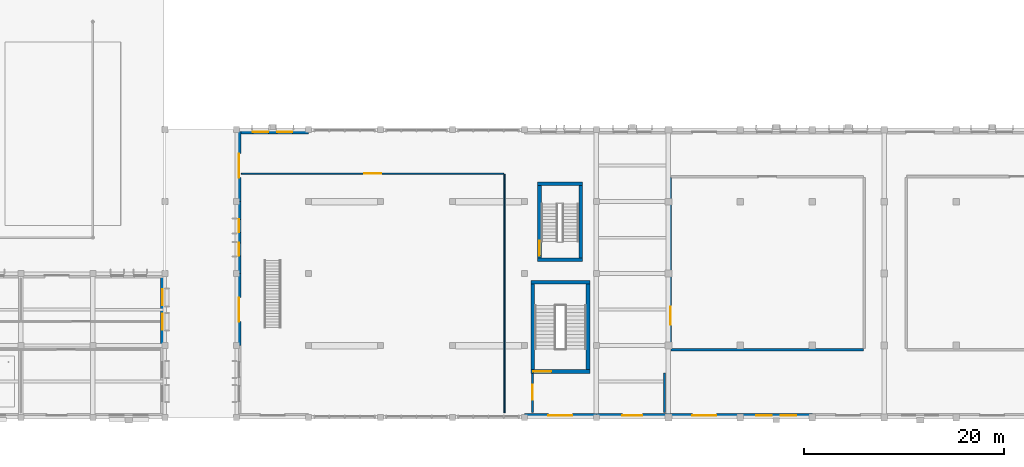
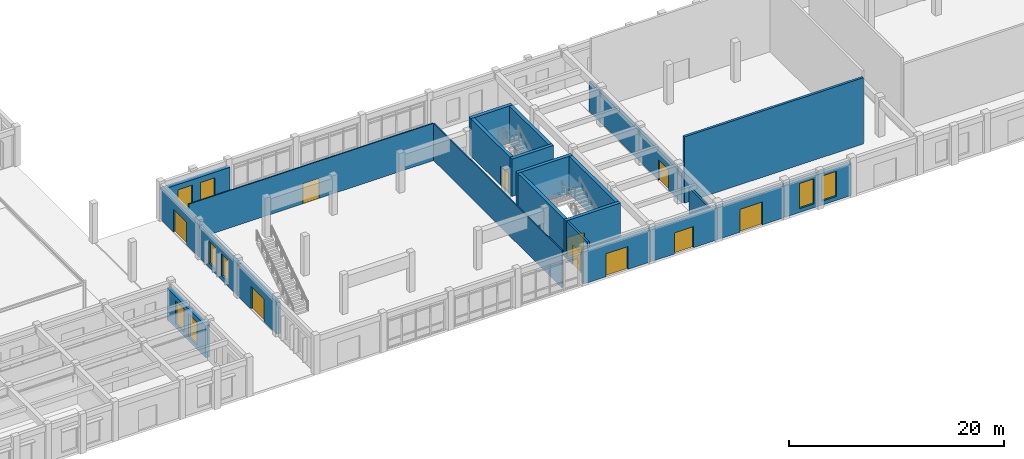
# One storey, part 26 of 43: 23 walls, 10 doors, 8 windows, 18 openings.
"""IFC4 building model written with IfcOpenShell, lengths in metres."""

from ifc_helpers import new_model, si_unit, direction, frame, frame_2d, origin, place, context, subcontext, project, spatial, rectangle, extrude, material, layer, layer_set, type_object, element, fill, save


model = new_model("IFC4")

# Units and contexts
model_context = context("Model", 3, precision=1e-05, world=origin(), true_north=direction((0.0, 1.0)))
body_context = subcontext(model_context, "Body", "Model", "MODEL_VIEW")
ifc_project = project(units=[si_unit("LENGTHUNIT", "METRE"), si_unit("AREAUNIT", "SQUARE_METRE"), si_unit("VOLUMEUNIT", "CUBIC_METRE"), si_unit("PLANEANGLEUNIT", "RADIAN"), si_unit("MASSUNIT", "GRAM", prefix="KILO")], contexts=[model_context])

# Site, building, storey
site_placement = place(None, origin())
site = spatial("IfcSite", under=ifc_project, at=site_placement, CompositionType="ELEMENT")
building_placement = place(site_placement, origin())
building = spatial("IfcBuilding", under=site, at=building_placement, Name="Alvorim Cloister Faculty of Sciences", CompositionType="ELEMENT")
storey_placement = place(building_placement, origin())
storey = spatial("IfcBuildingStorey", under=building, at=storey_placement, Name="L00", CompositionType="ELEMENT", Elevation=0.0)

# Wall, openings, windows
ifc_material_1 = material(Name="Maua Grey Granite Stone", Category="masonry")
ifc_layer_1 = layer(ifc_material_1, 0.419921875)
ifc_layer_set_1 = layer_set([ifc_layer_1], Name="Maua Grey Granite Stone")
wall_type_1 = type_object("IfcWallType", Name="WL-EXT-GRN-420", PredefinedType="SOLIDWALL", material=ifc_layer_set_1)
wall_1_placement = place(storey_placement, frame((64.590087890625, 7.199951171875, 0.0), z_axis=(0.0, 0.0, 1.0), x_axis=(0.0, 1.0, 0.0)))
wall_1 = element("IfcWall", 1, at=wall_1_placement, inside=storey, type_object=wall_type_1, Name="L00 Exterior Wall WL-0017", PredefinedType="SOLIDWALL", context=body_context, shape_type="SweptSolid", body=[
    extrude(rectangle(XDim=7.199951171875, YDim=0.419921875, at=frame_2d((3.60009765625, 0.0))), origin(), (0.0, 0.0, 1.0), 3.6201171875),
])
opening_1_placement = place(wall_1_placement, frame((1.583251953125, 0.0, 0.449951171875)))
opening_1 = element("IfcOpeningElement", 2, at=opening_1_placement, cuts=wall_1, Name="Opening W-11", PredefinedType="OPENING", context=body_context, shape_type="SweptSolid", body=[
    extrude(rectangle(XDim=1.60009765625, YDim=2.64990234375, at=frame_2d((0.800048828125, 1.324951171875))), frame((0.0, 0.221923828125, 0.0), z_axis=(0.0, -1.0, 0.0), x_axis=(1.0, 0.0, 0.0)), (0.0, 0.0, 1.0), 0.44384765625),
])
opening_2_placement = place(wall_1_placement, frame((4.0166015625, 0.0, 0.449951171875)))
opening_2 = element("IfcOpeningElement", 3, at=opening_2_placement, cuts=wall_1, Name="Opening W-11", PredefinedType="OPENING", context=body_context, shape_type="SweptSolid", body=[
    extrude(rectangle(XDim=1.60009765625, YDim=2.64990234375, at=frame_2d((0.800048828125, 1.324951171875))), frame((0.0, 0.221923828125, 0.0), z_axis=(0.0, -1.0, 0.0), x_axis=(1.0, 0.0, 0.0)), (0.0, 0.0, 1.0), 0.44384765625),
])
ifc_material_2 = material(Name="Double Low-E Laminated Glass", Category="glass")
window_type_1 = type_object("IfcWindowType", Name="WN-LIB-1600x2650", PartitioningType="SINGLE_PANEL", PredefinedType="WINDOW", material=ifc_material_2)
window_1_placement = place(opening_1_placement, origin())
window_1 = element("IfcWindow", 4, at=window_1_placement, inside=storey, type_object=window_type_1, Name="L00 Gothic Lancet Window WN-0001", OverallHeight=2.64990234375, OverallWidth=1.60009765625, PartitioningType="SINGLE_PANEL", PredefinedType="WINDOW", context=body_context, shape_type="SweptSolid", body=[
    extrude(rectangle(XDim=1.60009765625, YDim=2.64990234375, at=frame_2d((0.800048828125, 1.324951171875))), frame((0.0, 0.030029296875, 0.0), z_axis=(0.0, -1.0, 0.0), x_axis=(1.0, 0.0, 0.0)), (0.0, 0.0, 1.0), 0.06005859375),
])
fill(opening_1, window_1)
window_2_placement = place(opening_2_placement, origin())
window_2 = element("IfcWindow", 5, at=window_2_placement, inside=storey, type_object=window_type_1, Name="L00 Gothic Lancet Window WN-0002", OverallHeight=2.64990234375, OverallWidth=1.60009765625, PartitioningType="SINGLE_PANEL", PredefinedType="WINDOW", context=body_context, shape_type="SweptSolid", body=[
    extrude(rectangle(XDim=1.60009765625, YDim=2.64990234375, at=frame_2d((0.800048828125, 1.324951171875))), frame((0.0, 0.030029296875, 0.0), z_axis=(0.0, -1.0, 0.0), x_axis=(1.0, 0.0, 0.0)), (0.0, 0.0, 1.0), 0.06005859375),
])
fill(opening_2, window_2)

wall_2_placement = place(storey_placement, frame((122.39990234375, 0.2099609375, 0.0), z_axis=(0.0, 0.0, 1.0), x_axis=(1.0, 0.0, 0.0)))
wall_2 = element("IfcWall", 6, at=wall_2_placement, inside=storey, type_object=wall_type_1, Name="L00 Exterior Wall WL-0093", PredefinedType="SOLIDWALL", context=body_context, shape_type="SweptSolid", body=[
    extrude(rectangle(XDim=7.2001953125, YDim=0.419921875, at=frame_2d((3.60009765625, 0.0))), origin(), (0.0, 0.0, 1.0), 3.6201171875),
])
opening_3_placement = place(wall_2_placement, frame((1.61669921875, 0.0, 0.449951171875)))
opening_3 = element("IfcOpeningElement", 7, at=opening_3_placement, cuts=wall_2, Name="Opening W-07", PredefinedType="OPENING", context=body_context, shape_type="SweptSolid", body=[
    extrude(rectangle(XDim=1.550048828125, YDim=2.85009765625, at=frame_2d((0.77490234375, 1.425048828125))), frame((0.0, 0.221923828125, 0.0), z_axis=(0.0, -1.0, 0.0), x_axis=(1.0, 0.0, 0.0)), (0.0, 0.0, 1.0), 0.44384765625),
])
opening_4_placement = place(wall_2_placement, frame((4.033203125, 0.0, 0.449951171875)))
opening_4 = element("IfcOpeningElement", 8, at=opening_4_placement, cuts=wall_2, Name="Opening W-07", PredefinedType="OPENING", context=body_context, shape_type="SweptSolid", body=[
    extrude(rectangle(XDim=1.550048828125, YDim=2.85009765625, at=frame_2d((0.77490234375, 1.425048828125))), frame((0.0, 0.221923828125, 0.0), z_axis=(0.0, -1.0, 0.0), x_axis=(1.0, 0.0, 0.0)), (0.0, 0.0, 1.0), 0.44384765625),
])
window_type_2 = type_object("IfcWindowType", Name="WN-LAN-1550x2850", PartitioningType="SINGLE_PANEL", PredefinedType="WINDOW", material=ifc_material_2)
window_3_placement = place(opening_3_placement, origin())
window_3 = element("IfcWindow", 9, at=window_3_placement, inside=storey, type_object=window_type_2, Name="L00 Gothic Lancet Window WN-0112", OverallHeight=2.85009765625, OverallWidth=1.550048828125, PartitioningType="SINGLE_PANEL", PredefinedType="WINDOW", context=body_context, shape_type="SweptSolid", body=[
    extrude(rectangle(XDim=1.550048828125, YDim=2.85009765625, at=frame_2d((0.77490234375, 1.425048828125))), frame((0.0, 0.030029296875, 0.0), z_axis=(0.0, -1.0, 0.0), x_axis=(1.0, 0.0, 0.0)), (0.0, 0.0, 1.0), 0.06005859375),
])
fill(opening_3, window_3)
window_4_placement = place(opening_4_placement, origin())
window_4 = element("IfcWindow", 10, at=window_4_placement, inside=storey, type_object=window_type_2, Name="L00 Gothic Lancet Window WN-0113", OverallHeight=2.85009765625, OverallWidth=1.550048828125, PartitioningType="SINGLE_PANEL", PredefinedType="WINDOW", context=body_context, shape_type="SweptSolid", body=[
    extrude(rectangle(XDim=1.550048828125, YDim=2.85009765625, at=frame_2d((0.77490234375, 1.425048828125))), frame((0.0, 0.030029296875, 0.0), z_axis=(0.0, -1.0, 0.0), x_axis=(1.0, 0.0, 0.0)), (0.0, 0.0, 1.0), 0.06005859375),
])
fill(opening_4, window_4)

# Wall, opening, door
wall_3_placement = place(storey_placement, frame((115.199951171875, 0.2099609375, 0.0), z_axis=(0.0, 0.0, 1.0), x_axis=(1.0, 0.0, 0.0)))
wall_3 = element("IfcWall", 11, at=wall_3_placement, inside=storey, type_object=wall_type_1, Name="L00 Exterior Wall WL-0094", PredefinedType="SOLIDWALL", context=body_context, shape_type="SweptSolid", body=[
    extrude(rectangle(XDim=7.199951171875, YDim=0.419921875, at=frame_2d((3.60009765625, 0.0))), origin(), (0.0, 0.0, 1.0), 3.6201171875),
])
opening_5_placement = place(wall_3_placement, frame((2.39990234375, 0.0, 0.0)))
opening_5 = element("IfcOpeningElement", 12, at=opening_5_placement, cuts=wall_3, Name="Opening ED-06", PredefinedType="OPENING", context=body_context, shape_type="SweptSolid", body=[
    extrude(rectangle(XDim=2.39990234375, YDim=2.60009765625, at=frame_2d((1.199951171875, 1.300048828125))), frame((0.0, 0.221923828125, 0.0), z_axis=(0.0, -1.0, 0.0), x_axis=(1.0, 0.0, 0.0)), (0.0, 0.0, 1.0), 0.44384765625),
])
ifc_material_3 = material(Name="Aluminium Alloy 6063-T6", Category="aluminium")
door_type_1 = type_object("IfcDoorType", Name="DR-EXIT-2400x2600", OperationType="NOTDEFINED", PredefinedType="DOOR", material=ifc_material_3)
door_1_placement = place(opening_5_placement, origin())
door_1 = element("IfcDoor", 13, at=door_1_placement, inside=storey, type_object=door_type_1, Name="Lecture Theatre A South Exit ED-06", OperationType="DOUBLE_DOOR_SINGLE_SWING", OverallHeight=2.60009765625, OverallWidth=2.39990234375, PredefinedType="DOOR", context=body_context, shape_type="SweptSolid", body=[
    extrude(rectangle(XDim=2.39990234375, YDim=2.60009765625, at=frame_2d((1.199951171875, 1.300048828125))), frame((0.0, 0.02490234375, 0.0), z_axis=(0.0, -1.0, 0.0), x_axis=(1.0, 0.0, 0.0)), (0.0, 0.0, 1.0), 0.050048828125),
])
fill(opening_5, door_1)

wall_4_placement = place(storey_placement, frame((108.0, 0.2099609375, 0.0), z_axis=(0.0, 0.0, 1.0), x_axis=(1.0, 0.0, 0.0)))
wall_4 = element("IfcWall", 14, at=wall_4_placement, inside=storey, type_object=wall_type_1, Name="L00 Exterior Wall WL-0095", PredefinedType="SOLIDWALL", context=body_context, shape_type="SweptSolid", body=[
    extrude(rectangle(XDim=7.199951171875, YDim=0.419921875, at=frame_2d((3.60009765625, 0.0))), origin(), (0.0, 0.0, 1.0), 3.6201171875),
])
opening_6_placement = place(wall_4_placement, frame((2.60009765625, 0.0, 0.0)))
opening_6 = element("IfcOpeningElement", 15, at=opening_6_placement, cuts=wall_4, Name="Opening ED-05", PredefinedType="OPENING", context=body_context, shape_type="SweptSolid", body=[
    extrude(rectangle(XDim=2.0, YDim=2.39990234375, at=frame_2d((1.0, 1.199951171875))), frame((0.0, 0.221923828125, 0.0), z_axis=(0.0, -1.0, 0.0), x_axis=(1.0, 0.0, 0.0)), (0.0, 0.0, 1.0), 0.44384765625),
])
door_type_2 = type_object("IfcDoorType", Name="DR-EXIT-2000x2400", OperationType="NOTDEFINED", PredefinedType="DOOR", material=ifc_material_3)
door_2_placement = place(opening_6_placement, origin())
door_2 = element("IfcDoor", 16, at=door_2_placement, inside=storey, type_object=door_type_2, Name="Fire Command & Stair K7 Discharge ED-05", OperationType="DOUBLE_DOOR_SINGLE_SWING", OverallHeight=2.39990234375, OverallWidth=2.0, PredefinedType="DOOR", context=body_context, shape_type="SweptSolid", body=[
    extrude(rectangle(XDim=2.0, YDim=2.39990234375, at=frame_2d((1.0, 1.199951171875))), frame((0.0, 0.02490234375, 0.0), z_axis=(0.0, -1.0, 0.0), x_axis=(1.0, 0.0, 0.0)), (0.0, 0.0, 1.0), 0.050048828125),
])
fill(opening_6, door_2)

wall_5_placement = place(storey_placement, frame((100.800048828125, 0.2099609375, 0.0), z_axis=(0.0, 0.0, 1.0), x_axis=(1.0, 0.0, 0.0)))
wall_5 = element("IfcWall", 17, at=wall_5_placement, inside=storey, type_object=wall_type_1, Name="L00 Exterior Wall WL-0096", PredefinedType="SOLIDWALL", context=body_context, shape_type="SweptSolid", body=[
    extrude(rectangle(XDim=7.199951171875, YDim=0.419921875, at=frame_2d((3.60009765625, 0.0))), origin(), (0.0, 0.0, 1.0), 3.6201171875),
])
opening_7_placement = place(wall_5_placement, frame((2.39990234375, 0.0, 0.0)))
opening_7 = element("IfcOpeningElement", 18, at=opening_7_placement, cuts=wall_5, Name="Opening ED-21", PredefinedType="OPENING", context=body_context, shape_type="SweptSolid", body=[
    extrude(rectangle(XDim=2.39990234375, YDim=2.60009765625, at=frame_2d((1.199951171875, 1.300048828125))), frame((0.0, 0.221923828125, 0.0), z_axis=(0.0, -1.0, 0.0), x_axis=(1.0, 0.0, 0.0)), (0.0, 0.0, 1.0), 0.44384765625),
])
door_3_placement = place(opening_7_placement, origin())
door_3 = element("IfcDoor", 19, at=door_3_placement, inside=storey, type_object=door_type_1, Name="Atrium East Avenue Exit ED-21", OperationType="DOUBLE_DOOR_SINGLE_SWING", OverallHeight=2.60009765625, OverallWidth=2.39990234375, PredefinedType="DOOR", context=body_context, shape_type="SweptSolid", body=[
    extrude(rectangle(XDim=2.39990234375, YDim=2.60009765625, at=frame_2d((1.199951171875, 1.300048828125))), frame((0.0, 0.02490234375, 0.0), z_axis=(0.0, -1.0, 0.0), x_axis=(1.0, 0.0, 0.0)), (0.0, 0.0, 1.0), 0.050048828125),
])
fill(opening_7, door_3)

wall_6_placement = place(storey_placement, frame((72.2099609375, 7.199951171875, 0.0), z_axis=(0.0, 0.0, 1.0), x_axis=(0.0, 1.0, 0.0)))
wall_6 = element("IfcWall", 20, at=wall_6_placement, inside=storey, type_object=wall_type_1, Name="L00 Exterior Wall WL-0099", PredefinedType="SOLIDWALL", context=body_context, shape_type="SweptSolid", body=[
    extrude(rectangle(XDim=7.199951171875, YDim=0.419921875, at=frame_2d((3.60009765625, 0.0))), origin(), (0.0, 0.0, 1.0), 3.6201171875),
])
opening_8_placement = place(wall_6_placement, frame((2.39990234375, 0.0, 0.0)))
opening_8 = element("IfcOpeningElement", 21, at=opening_8_placement, cuts=wall_6, Name="Opening ED-04", PredefinedType="OPENING", context=body_context, shape_type="SweptSolid", body=[
    extrude(rectangle(XDim=2.39990234375, YDim=2.60009765625, at=frame_2d((1.199951171875, 1.300048828125))), frame((0.0, 0.221923828125, 0.0), z_axis=(0.0, -1.0, 0.0), x_axis=(1.0, 0.0, 0.0)), (0.0, 0.0, 1.0), 0.44384765625),
])
door_4_placement = place(opening_8_placement, origin())
door_4 = element("IfcDoor", 22, at=door_4_placement, inside=storey, type_object=door_type_1, Name="Covered Public Passage Atrium Portal ED-04", OperationType="DOUBLE_DOOR_SINGLE_SWING", OverallHeight=2.60009765625, OverallWidth=2.39990234375, PredefinedType="DOOR", context=body_context, shape_type="SweptSolid", body=[
    extrude(rectangle(XDim=2.39990234375, YDim=2.60009765625, at=frame_2d((1.199951171875, 1.300048828125))), frame((0.0, 0.02490234375, 0.0), z_axis=(0.0, -1.0, 0.0), x_axis=(1.0, 0.0, 0.0)), (0.0, 0.0, 1.0), 0.050048828125),
])
fill(opening_8, door_4)

# Wall, openings, windows
wall_7_placement = place(storey_placement, frame((72.2099609375, 14.39990234375, 0.0), z_axis=(0.0, 0.0, 1.0), x_axis=(0.0, 1.0, 0.0)))
wall_7 = element("IfcWall", 23, at=wall_7_placement, inside=storey, type_object=wall_type_1, Name="L00 Exterior Wall WL-0100", PredefinedType="SOLIDWALL", context=body_context, shape_type="SweptSolid", body=[
    extrude(rectangle(XDim=7.2001953125, YDim=0.419921875, at=frame_2d((3.60009765625, 0.0))), origin(), (0.0, 0.0, 1.0), 3.6201171875),
])
opening_9_placement = place(wall_7_placement, frame((1.783203125, 0.0, 0.449951171875)))
opening_9 = element("IfcOpeningElement", 24, at=opening_9_placement, cuts=wall_7, Name="Opening W-14", PredefinedType="OPENING", context=body_context, shape_type="SweptSolid", body=[
    extrude(rectangle(XDim=1.300048828125, YDim=2.5, at=frame_2d((0.64990234375, 1.25))), frame((0.0, 0.221923828125, 0.0), z_axis=(0.0, -1.0, 0.0), x_axis=(1.0, 0.0, 0.0)), (0.0, 0.0, 1.0), 0.44384765625),
])
opening_10_placement = place(wall_7_placement, frame((4.11669921875, 0.0, 0.449951171875)))
opening_10 = element("IfcOpeningElement", 25, at=opening_10_placement, cuts=wall_7, Name="Opening W-14", PredefinedType="OPENING", context=body_context, shape_type="SweptSolid", body=[
    extrude(rectangle(XDim=1.300048828125, YDim=2.5, at=frame_2d((0.64990234375, 1.25))), frame((0.0, 0.221923828125, 0.0), z_axis=(0.0, -1.0, 0.0), x_axis=(1.0, 0.0, 0.0)), (0.0, 0.0, 1.0), 0.44384765625),
])
window_type_3 = type_object("IfcWindowType", Name="WN-LIB-1300x2500", PartitioningType="SINGLE_PANEL", PredefinedType="WINDOW", material=ifc_material_2)
window_5_placement = place(opening_9_placement, origin())
window_5 = element("IfcWindow", 26, at=window_5_placement, inside=storey, type_object=window_type_3, Name="L00 Gothic Lancet Window WN-0116", OverallHeight=2.5, OverallWidth=1.300048828125, PartitioningType="SINGLE_PANEL", PredefinedType="WINDOW", context=body_context, shape_type="SweptSolid", body=[
    extrude(rectangle(XDim=1.300048828125, YDim=2.5, at=frame_2d((0.64990234375, 1.25))), frame((0.0, 0.030029296875, 0.0), z_axis=(0.0, -1.0, 0.0), x_axis=(1.0, 0.0, 0.0)), (0.0, 0.0, 1.0), 0.06005859375),
])
fill(opening_9, window_5)
window_6_placement = place(opening_10_placement, origin())
window_6 = element("IfcWindow", 27, at=window_6_placement, inside=storey, type_object=window_type_3, Name="L00 Gothic Lancet Window WN-0117", OverallHeight=2.5, OverallWidth=1.300048828125, PartitioningType="SINGLE_PANEL", PredefinedType="WINDOW", context=body_context, shape_type="SweptSolid", body=[
    extrude(rectangle(XDim=1.300048828125, YDim=2.5, at=frame_2d((0.64990234375, 1.25))), frame((0.0, 0.030029296875, 0.0), z_axis=(0.0, -1.0, 0.0), x_axis=(1.0, 0.0, 0.0)), (0.0, 0.0, 1.0), 0.06005859375),
])
fill(opening_10, window_6)

# Wall, opening, door
wall_8_placement = place(storey_placement, frame((72.2099609375, 21.60009765625, 0.0), z_axis=(0.0, 0.0, 1.0), x_axis=(0.0, 1.0, 0.0)))
wall_8 = element("IfcWall", 28, at=wall_8_placement, inside=storey, type_object=wall_type_1, Name="L00 Exterior Wall WL-0101", PredefinedType="SOLIDWALL", context=body_context, shape_type="SweptSolid", body=[
    extrude(rectangle(XDim=7.199951171875, YDim=0.419921875, at=frame_2d((3.60009765625, 0.0))), origin(), (0.0, 0.0, 1.0), 3.6201171875),
])
opening_11_placement = place(wall_8_placement, frame((2.39990234375, 0.0, 0.0)))
opening_11 = element("IfcOpeningElement", 29, at=opening_11_placement, cuts=wall_8, Name="Opening ED-19", PredefinedType="OPENING", context=body_context, shape_type="SweptSolid", body=[
    extrude(rectangle(XDim=2.39990234375, YDim=2.60009765625, at=frame_2d((1.199951171875, 1.300048828125))), frame((0.0, 0.221923828125, 0.0), z_axis=(0.0, -1.0, 0.0), x_axis=(1.0, 0.0, 0.0)), (0.0, 0.0, 1.0), 0.44384765625),
])
door_5_placement = place(opening_11_placement, origin())
door_5 = element("IfcDoor", 30, at=door_5_placement, inside=storey, type_object=door_type_1, Name="Covered Public Passage North Atrium Portal ED-19", OperationType="DOUBLE_DOOR_SINGLE_SWING", OverallHeight=2.60009765625, OverallWidth=2.39990234375, PredefinedType="DOOR", context=body_context, shape_type="SweptSolid", body=[
    extrude(rectangle(XDim=2.39990234375, YDim=2.60009765625, at=frame_2d((1.199951171875, 1.300048828125))), frame((0.0, 0.02490234375, 0.0), z_axis=(0.0, -1.0, 0.0), x_axis=(1.0, 0.0, 0.0)), (0.0, 0.0, 1.0), 0.050048828125),
])
fill(opening_11, door_5)

# Wall, openings, windows
wall_9_placement = place(storey_placement, frame((72.0, 28.590087890625, 0.0), z_axis=(0.0, 0.0, 1.0), x_axis=(1.0, 0.0, 0.0)))
wall_9 = element("IfcWall", 31, at=wall_9_placement, inside=storey, type_object=wall_type_1, Name="L00 Exterior Wall WL-0102", PredefinedType="SOLIDWALL", context=body_context, shape_type="SweptSolid", body=[
    extrude(rectangle(XDim=7.199951171875, YDim=0.419921875, at=frame_2d((3.60009765625, 0.0))), origin(), (0.0, 0.0, 1.0), 3.6201171875),
])
opening_12_placement = place(wall_9_placement, frame((1.61669921875, 0.0, 0.449951171875)))
opening_12 = element("IfcOpeningElement", 32, at=opening_12_placement, cuts=wall_9, Name="Opening W-16", PredefinedType="OPENING", context=body_context, shape_type="SweptSolid", body=[
    extrude(rectangle(XDim=1.550048828125, YDim=2.550048828125, at=frame_2d((0.77490234375, 1.27490234375))), frame((0.0, 0.221923828125, 0.0), z_axis=(0.0, -1.0, 0.0), x_axis=(1.0, 0.0, 0.0)), (0.0, 0.0, 1.0), 0.44384765625),
])
opening_13_placement = place(wall_9_placement, frame((4.033203125, 0.0, 0.449951171875)))
opening_13 = element("IfcOpeningElement", 33, at=opening_13_placement, cuts=wall_9, Name="Opening W-16", PredefinedType="OPENING", context=body_context, shape_type="SweptSolid", body=[
    extrude(rectangle(XDim=1.550048828125, YDim=2.550048828125, at=frame_2d((0.77490234375, 1.27490234375))), frame((0.0, 0.221923828125, 0.0), z_axis=(0.0, -1.0, 0.0), x_axis=(1.0, 0.0, 0.0)), (0.0, 0.0, 1.0), 0.44384765625),
])
window_type_4 = type_object("IfcWindowType", Name="WN-LAB-1550x2550", PartitioningType="SINGLE_PANEL", PredefinedType="WINDOW", material=ifc_material_2)
window_7_placement = place(opening_12_placement, origin())
window_7 = element("IfcWindow", 34, at=window_7_placement, inside=storey, type_object=window_type_4, Name="L00 Gothic Lancet Window WN-0118", OverallHeight=2.550048828125, OverallWidth=1.550048828125, PartitioningType="SINGLE_PANEL", PredefinedType="WINDOW", context=body_context, shape_type="SweptSolid", body=[
    extrude(rectangle(XDim=1.550048828125, YDim=2.550048828125, at=frame_2d((0.77490234375, 1.27490234375))), frame((0.0, 0.030029296875, 0.0), z_axis=(0.0, -1.0, 0.0), x_axis=(1.0, 0.0, 0.0)), (0.0, 0.0, 1.0), 0.06005859375),
])
fill(opening_12, window_7)
window_8_placement = place(opening_13_placement, origin())
window_8 = element("IfcWindow", 35, at=window_8_placement, inside=storey, type_object=window_type_4, Name="L00 Gothic Lancet Window WN-0119", OverallHeight=2.550048828125, OverallWidth=1.550048828125, PartitioningType="SINGLE_PANEL", PredefinedType="WINDOW", context=body_context, shape_type="SweptSolid", body=[
    extrude(rectangle(XDim=1.550048828125, YDim=2.550048828125, at=frame_2d((0.77490234375, 1.27490234375))), frame((0.0, 0.030029296875, 0.0), z_axis=(0.0, -1.0, 0.0), x_axis=(1.0, 0.0, 0.0)), (0.0, 0.0, 1.0), 0.06005859375),
])
fill(opening_13, window_8)

# Wall
ifc_material_4 = material(Name="Acoustic Gypsum Stud Partition", Category="gypsum")
ifc_layer_2 = layer(ifc_material_4, 0.1201171875)
ifc_layer_set_2 = layer_set([ifc_layer_2], Name="Acoustic Gypsum Stud Partition")
wall_type_2 = type_object("IfcWallType", Name="WL-PRT-120", PredefinedType="PARTITIONING", material=ifc_layer_set_2)
wall_10_placement = place(storey_placement, frame((98.800048828125, 0.47998046875, 0.0), z_axis=(0.0, 0.0, 1.0), x_axis=(0.0, 1.0, 0.0)))
element("IfcWall", 36, at=wall_10_placement, inside=storey, type_object=wall_type_2, Name="L00 Sky-Lit Entrance Atrium Exhibition Hall Partition IWL-0486", PredefinedType="PARTITIONING", context=body_context, shape_type="SweptSolid", body=[
    extrude(rectangle(XDim=23.840087890625, YDim=0.1201171875, at=frame_2d((11.919921875, 0.0))), origin(), (0.0, 0.0, 1.0), 4.235107421875),
])

# Wall, opening, door
wall_11_placement = place(storey_placement, frame((72.4599609375, 24.39990234375, 0.0), z_axis=(0.0, 0.0, 1.0), x_axis=(1.0, 0.0, 0.0)))
wall_11 = element("IfcWall", 37, at=wall_11_placement, inside=storey, type_object=wall_type_2, Name="L00 Sky-Lit Entrance Atrium Exhibition Hall Partition IWL-0487", PredefinedType="PARTITIONING", context=body_context, shape_type="SweptSolid", body=[
    extrude(rectangle(XDim=26.260009765625, YDim=0.1201171875, at=frame_2d((13.1298828125, 0.0))), origin(), (0.0, 0.0, 1.0), 4.235107421875),
])
opening_14_placement = place(wall_11_placement, frame((12.280029296875, 0.0, 0.0)))
opening_14 = element("IfcOpeningElement", 38, at=opening_14_placement, cuts=wall_11, Name="Opening D-L00-096", PredefinedType="OPENING", context=body_context, shape_type="SweptSolid", body=[
    extrude(rectangle(XDim=1.699951171875, YDim=2.280029296875, at=frame_2d((0.85009765625, 1.14013671875))), frame((0.0, 0.072021484375, 0.0), z_axis=(0.0, -1.0, 0.0), x_axis=(1.0, 0.0, 0.0)), (0.0, 0.0, 1.0), 0.14404296875),
])
ifc_material_5 = material(Name="Solid Acoustic Oak Timber", Category="wood")
door_type_3 = type_object("IfcDoorType", Name="DR-HALL-1700x2280", OperationType="NOTDEFINED", PredefinedType="DOOR", material=ifc_material_5)
door_6_placement = place(opening_14_placement, origin())
door_6 = element("IfcDoor", 39, at=door_6_placement, inside=storey, type_object=door_type_3, Name="Sky-Lit Entrance Atrium Exhibition Hall Door D-L00-096", OperationType="DOUBLE_DOOR_SINGLE_SWING", OverallHeight=2.280029296875, OverallWidth=1.699951171875, PredefinedType="DOOR", context=body_context, shape_type="SweptSolid", body=[
    extrude(rectangle(XDim=1.699951171875, YDim=2.280029296875, at=frame_2d((0.85009765625, 1.14013671875))), frame((0.0, 0.02490234375, 0.0), z_axis=(0.0, -1.0, 0.0), x_axis=(1.0, 0.0, 0.0)), (0.0, 0.0, 1.0), 0.050048828125),
])
fill(opening_14, door_6)

ifc_material_6 = material(Name="Autoclaved Aerated Concrete Blockwork", Category="masonry")
ifc_layer_3 = layer(ifc_material_6, 0.219970703125)
ifc_layer_set_3 = layer_set([ifc_layer_3], Name="Autoclaved Aerated Concrete Blockwork")
wall_type_3 = type_object("IfcWallType", Name="WL-PRT-220", PredefinedType="PARTITIONING", material=ifc_layer_set_3)
wall_12_placement = place(storey_placement, frame((101.60009765625, 0.47998046875, 0.0), z_axis=(0.0, 0.0, 1.0), x_axis=(0.0, 1.0, 0.0)))
wall_12 = element("IfcWall", 40, at=wall_12_placement, inside=storey, type_object=wall_type_3, Name="L00 Fire Command and Building Security Centre Partition IWL-0488", PredefinedType="PARTITIONING", context=body_context, shape_type="SweptSolid", body=[
    extrude(rectangle(XDim=3.89990234375, YDim=0.219970703125, at=frame_2d((1.949951171875, 0.0))), origin(), (0.0, 0.0, 1.0), 4.235107421875),
])
opening_15_placement = place(wall_12_placement, frame((1.28173828125, 0.0, 0.0)))
opening_15 = element("IfcOpeningElement", 41, at=opening_15_placement, cuts=wall_12, Name="Opening D-L00-097", PredefinedType="OPENING", context=body_context, shape_type="SweptSolid", body=[
    extrude(rectangle(XDim=1.5, YDim=2.25, at=frame_2d((0.75, 1.125))), frame((0.0, 0.1220703125, 0.0), z_axis=(0.0, -1.0, 0.0), x_axis=(1.0, 0.0, 0.0)), (0.0, 0.0, 1.0), 0.243896484375),
])
ifc_material_7 = material(Name="Galvanised Fire-Rated Steel", Category="steel")
door_type_4 = type_object("IfcDoorType", Name="DR-PLN-1500x2250", OperationType="NOTDEFINED", PredefinedType="DOOR", material=ifc_material_7)
door_7_placement = place(opening_15_placement, origin())
door_7 = element("IfcDoor", 42, at=door_7_placement, inside=storey, type_object=door_type_4, Name="Fire Command and Building Security Centre Door D-L00-097", OperationType="DOUBLE_DOOR_SINGLE_SWING", OverallHeight=2.25, OverallWidth=1.5, PredefinedType="DOOR", context=body_context, shape_type="SweptSolid", body=[
    extrude(rectangle(XDim=1.5, YDim=2.25, at=frame_2d((0.75, 1.125))), frame((0.0, 0.02490234375, 0.0), z_axis=(0.0, -1.0, 0.0), x_axis=(1.0, 0.0, 0.0)), (0.0, 0.0, 1.0), 0.050048828125),
])
fill(opening_15, door_7)

# Wall
wall_13_placement = place(storey_placement, frame((114.800048828125, 0.47998046875, 0.0), z_axis=(0.0, 0.0, 1.0), x_axis=(0.0, 1.0, 0.0)))
element("IfcWall", 43, at=wall_13_placement, inside=storey, type_object=wall_type_3, Name="L00 Fire Command and Building Security Centre Partition IWL-0489", PredefinedType="PARTITIONING", context=body_context, shape_type="SweptSolid", body=[
    extrude(rectangle(XDim=3.989990234375, YDim=0.219970703125, at=frame_2d((1.9951171875, 0.0))), origin(), (0.0, 0.0, 1.0), 3.385009765625),
])

# Wall, opening, door
ifc_layer_4 = layer(ifc_material_6, 0.25)
ifc_layer_set_4 = layer_set([ifc_layer_4], Name="Autoclaved Aerated Concrete Blockwork")
wall_type_4 = type_object("IfcWallType", Name="WL-PRT-250", PredefinedType="PARTITIONING", material=ifc_layer_set_4)
wall_14_placement = place(storey_placement, frame((115.39990234375, 6.8798828125, 0.0), z_axis=(0.0, 0.0, 1.0), x_axis=(0.0, 1.0, 0.0)))
wall_14 = element("IfcWall", 44, at=wall_14_placement, inside=storey, type_object=wall_type_4, Name="L00 Lecture Theatre A - 350 Seats Partition IWL-0490", PredefinedType="PARTITIONING", context=body_context, shape_type="SweptSolid", body=[
    extrude(rectangle(XDim=17.14013671875, YDim=0.25, at=frame_2d((8.570068359375, 0.0))), origin(), (0.0, 0.0, 1.0), 3.385009765625),
])
opening_16_placement = place(wall_14_placement, frame((2.39990234375, 0.0, 0.0)))
opening_16 = element("IfcOpeningElement", 45, at=opening_16_placement, cuts=wall_14, Name="Opening D-L00-220", PredefinedType="OPENING", context=body_context, shape_type="SweptSolid", body=[
    extrude(rectangle(XDim=1.800048828125, YDim=2.300048828125, at=frame_2d((0.89990234375, 1.14990234375))), frame((0.0, 0.136962890625, 0.0), z_axis=(0.0, -1.0, 0.0), x_axis=(1.0, 0.0, 0.0)), (0.0, 0.0, 1.0), 0.27392578125),
])
door_type_5 = type_object("IfcDoorType", Name="DR-HALL-1800x2300", OperationType="NOTDEFINED", PredefinedType="DOOR", material=ifc_material_5)
door_8_placement = place(opening_16_placement, origin())
door_8 = element("IfcDoor", 46, at=door_8_placement, inside=storey, type_object=door_type_5, Name="Auditorium Secondary Door D-L00-220", OperationType="DOUBLE_DOOR_SINGLE_SWING", OverallHeight=2.300048828125, OverallWidth=1.800048828125, PredefinedType="DOOR", context=body_context, shape_type="SweptSolid", body=[
    extrude(rectangle(XDim=1.800048828125, YDim=2.300048828125, at=frame_2d((0.89990234375, 1.14990234375))), frame((0.0, 0.02490234375, 0.0), z_axis=(0.0, -1.0, 0.0), x_axis=(1.0, 0.0, 0.0)), (0.0, 0.0, 1.0), 0.050048828125),
])
fill(opening_16, door_8)

# Walls
wall_15_placement = place(storey_placement, frame((115.47998046875, 6.800048828125, 0.0), z_axis=(0.0, 0.0, 1.0), x_axis=(1.0, 0.0, 0.0)))
element("IfcWall", 47, at=wall_15_placement, inside=storey, type_object=wall_type_4, Name="L00 Lecture Theatre A - 350 Seats Partition IWL-0491", PredefinedType="PARTITIONING", context=body_context, shape_type="SweptSolid", body=[
    extrude(rectangle(XDim=19.239990234375, YDim=0.25, at=frame_2d((9.6201171875, 0.0))), origin(), (0.0, 0.0, 1.0), 7.52490234375),
])
ifc_material_8 = material(Name="Concrete C40", Category="concrete")
ifc_layer_5 = layer(ifc_material_8, 0.360107421875)
ifc_layer_set_5 = layer_set([ifc_layer_5], Name="Concrete C40")
wall_type_5 = type_object("IfcWallType", Name="WL-SHR-360", PredefinedType="SHEAR", material=ifc_layer_set_5)
for number, where, z_axis, x_axis, name in (
    (48, (102.1201171875, 15.800048828125, 0.0), (0.0, 0.0, 1.0), (1.0, 0.0, 0.0), "L00 CORE K6 Shear Wall IWL-0189"),
    (49, (102.1201171875, 23.39990234375, 0.0), (0.0, 0.0, 1.0), (1.0, 0.0, 0.0), "L00 CORE K6 Shear Wall IWL-0190"),
):
    element("IfcWall", number, at=place(storey_placement, frame(where, z_axis=z_axis, x_axis=x_axis)), inside=storey, type_object=wall_type_5, Name=name, PredefinedType="SHEAR", context=body_context, shape_type="SweptSolid", body=[
        extrude(rectangle(XDim=4.47998046875, YDim=0.360107421875, at=frame_2d((2.239990234375, 0.0))), origin(), (0.0, 0.0, 1.0), 4.25),
    ])

# Wall, opening, door
wall_16_placement = place(storey_placement, frame((102.300048828125, 15.97998046875, 0.0), z_axis=(0.0, 0.0, 1.0), x_axis=(0.0, 1.0, 0.0)))
wall_16 = element("IfcWall", 50, at=wall_16_placement, inside=storey, type_object=wall_type_5, Name="L00 CORE K6 Shear Wall IWL-0191", PredefinedType="SHEAR", context=body_context, shape_type="SweptSolid", body=[
    extrude(rectangle(XDim=7.239990234375, YDim=0.360107421875, at=frame_2d((3.6201171875, 0.0))), origin(), (0.0, 0.0, 1.0), 4.25),
])
opening_17_placement = place(wall_16_placement, frame((0.219970703125, 0.0, 0.0)))
opening_17 = element("IfcOpeningElement", 51, at=opening_17_placement, cuts=wall_16, Name="Opening SD-K6-L00", PredefinedType="OPENING", context=body_context, shape_type="SweptSolid", body=[
    extrude(rectangle(XDim=1.5, YDim=2.199951171875, at=frame_2d((0.75, 1.10009765625))), frame((0.0, 0.19189453125, 0.0), z_axis=(0.0, -1.0, 0.0), x_axis=(1.0, 0.0, 0.0)), (0.0, 0.0, 1.0), 0.384033203125),
])
door_type_6 = type_object("IfcDoorType", Name="DR-STR-1500x2200", OperationType="NOTDEFINED", PredefinedType="DOOR", material=ifc_material_7)
door_9_placement = place(opening_17_placement, origin())
door_9 = element("IfcDoor", 52, at=door_9_placement, inside=storey, type_object=door_type_6, Name="L00 Stair ST-06 Fire Door SD-K6-L00", OperationType="DOUBLE_DOOR_SINGLE_SWING", OverallHeight=2.199951171875, OverallWidth=1.5, PredefinedType="DOOR", context=body_context, shape_type="SweptSolid", body=[
    extrude(rectangle(XDim=1.5, YDim=2.199951171875, at=frame_2d((0.75, 1.10009765625))), frame((0.0, 0.02490234375, 0.0), z_axis=(0.0, -1.0, 0.0), x_axis=(1.0, 0.0, 0.0)), (0.0, 0.0, 1.0), 0.050048828125),
])
fill(opening_17, door_9)

# Wall
wall_17_placement = place(storey_placement, frame((106.419921875, 15.97998046875, 0.0), z_axis=(0.0, 0.0, 1.0), x_axis=(0.0, 1.0, 0.0)))
element("IfcWall", 53, at=wall_17_placement, inside=storey, type_object=wall_type_5, Name="L00 CORE K6 Shear Wall IWL-0192", PredefinedType="SHEAR", context=body_context, shape_type="SweptSolid", body=[
    extrude(rectangle(XDim=7.239990234375, YDim=0.360107421875, at=frame_2d((3.6201171875, 0.0))), origin(), (0.0, 0.0, 1.0), 4.25),
])

# Wall, opening, door
wall_18_placement = place(storey_placement, frame((101.4599609375, 4.60009765625, 0.0), z_axis=(0.0, 0.0, 1.0), x_axis=(1.0, 0.0, 0.0)))
wall_18 = element("IfcWall", 54, at=wall_18_placement, inside=storey, type_object=wall_type_5, Name="L00 CORE K7 Shear Wall IWL-0213", PredefinedType="SHEAR", context=body_context, shape_type="SweptSolid", body=[
    extrude(rectangle(XDim=5.880126953125, YDim=0.360107421875, at=frame_2d((2.93994140625, 0.0))), origin(), (0.0, 0.0, 1.0), 4.25),
])
opening_18_placement = place(wall_18_placement, frame((0.219970703125, 0.0, 0.0)))
opening_18 = element("IfcOpeningElement", 55, at=opening_18_placement, cuts=wall_18, Name="Opening SD-K7-L00", PredefinedType="OPENING", context=body_context, shape_type="SweptSolid", body=[
    extrude(rectangle(XDim=1.800048828125, YDim=2.199951171875, at=frame_2d((0.89990234375, 1.10009765625))), frame((0.0, 0.19189453125, 0.0), z_axis=(0.0, -1.0, 0.0), x_axis=(1.0, 0.0, 0.0)), (0.0, 0.0, 1.0), 0.384033203125),
])
door_type_7 = type_object("IfcDoorType", Name="DR-STR-1800x2200", OperationType="NOTDEFINED", PredefinedType="DOOR", material=ifc_material_7)
door_10_placement = place(opening_18_placement, origin())
door_10 = element("IfcDoor", 56, at=door_10_placement, inside=storey, type_object=door_type_7, Name="L00 Stair ST-12 Fire Door SD-K7-L00", OperationType="DOUBLE_DOOR_SINGLE_SWING", OverallHeight=2.199951171875, OverallWidth=1.800048828125, PredefinedType="DOOR", context=body_context, shape_type="SweptSolid", body=[
    extrude(rectangle(XDim=1.800048828125, YDim=2.199951171875, at=frame_2d((0.89990234375, 1.10009765625))), frame((0.0, 0.02490234375, 0.0), z_axis=(0.0, -1.0, 0.0), x_axis=(1.0, 0.0, 0.0)), (0.0, 0.0, 1.0), 0.050048828125),
])
fill(opening_18, door_10)

# Walls
wall_19_placement = place(storey_placement, frame((101.4599609375, 13.550048828125, 0.0), z_axis=(0.0, 0.0, 1.0), x_axis=(1.0, 0.0, 0.0)))
element("IfcWall", 57, at=wall_19_placement, inside=storey, type_object=wall_type_5, Name="L00 CORE K7 Shear Wall IWL-0214", PredefinedType="SHEAR", context=body_context, shape_type="SweptSolid", body=[
    extrude(rectangle(XDim=5.880126953125, YDim=0.360107421875, at=frame_2d((2.93994140625, 0.0))), origin(), (0.0, 0.0, 1.0), 4.25),
])
for number, where, z_axis, x_axis, name in (
    (58, (101.639892578125, 4.780029296875, 0.0), (0.0, 0.0, 1.0), (0.0, 1.0, 0.0), "L00 CORE K7 Shear Wall IWL-0215"),
    (59, (107.159912109375, 4.780029296875, 0.0), (0.0, 0.0, 1.0), (0.0, 1.0, 0.0), "L00 CORE K7 Shear Wall IWL-0216"),
):
    element("IfcWall", number, at=place(storey_placement, frame(where, z_axis=z_axis, x_axis=x_axis)), inside=storey, type_object=wall_type_5, Name=name, PredefinedType="SHEAR", context=body_context, shape_type="SweptSolid", body=[
        extrude(rectangle(XDim=8.590087890625, YDim=0.360107421875, at=frame_2d((4.294921875, 0.0))), origin(), (0.0, 0.0, 1.0), 4.25),
    ])

save(model, "model.ifc")
